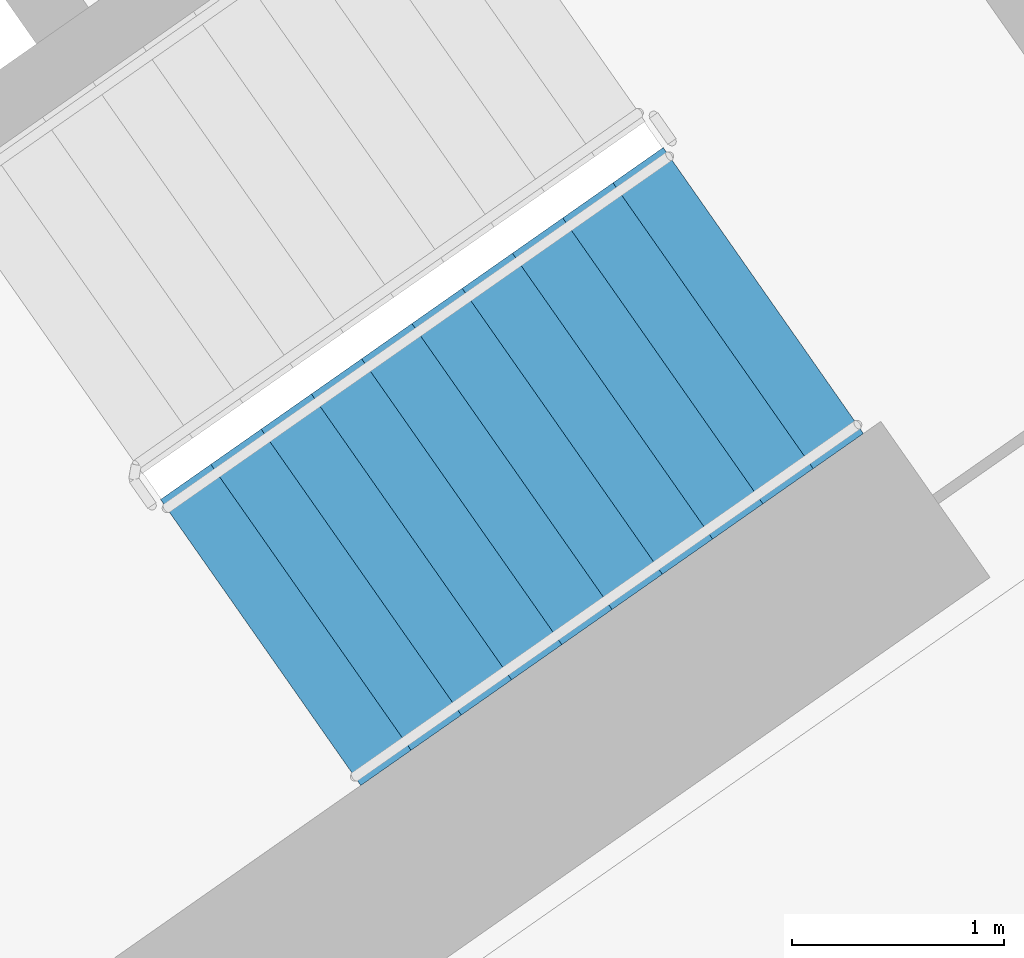
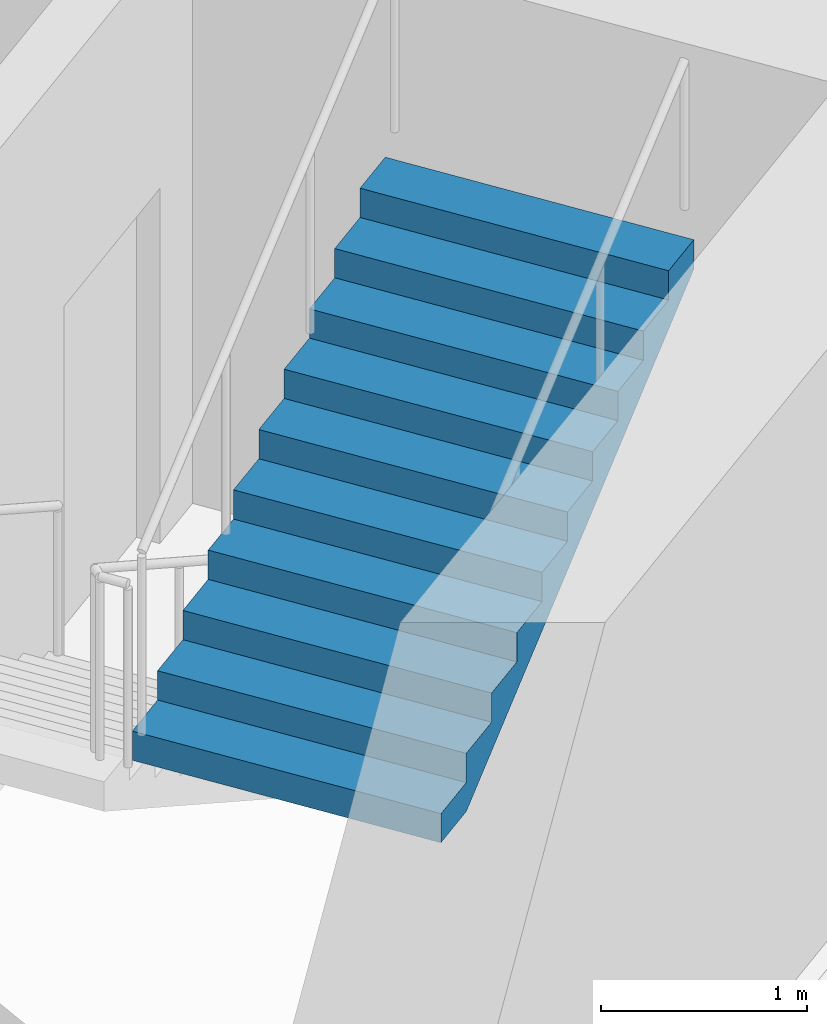
# One storey, part 16 of 31: 1 stair flight, 1 element without a shape of its own.
"""IFC4 building model written with IfcOpenShell, lengths in metres."""

from ifc_helpers import new_model, si_unit, direction, frame, origin, place, context, subcontext, project, spatial, faceted_brep, material, type_object, element, aggregate, save


model = new_model("IFC4")

# Units and contexts
model_context = context("Model", 3, precision=1e-05, world=origin(), true_north=direction((0.0, 1.0)))
body_context = subcontext(model_context, "Body", "Model", "MODEL_VIEW")
ifc_project = project(units=[si_unit("LENGTHUNIT", "METRE"), si_unit("AREAUNIT", "SQUARE_METRE"), si_unit("VOLUMEUNIT", "CUBIC_METRE"), si_unit("PLANEANGLEUNIT", "RADIAN"), si_unit("MASSUNIT", "GRAM", prefix="KILO")], contexts=[model_context])

# Site, building, storey
site_placement = place(None, origin())
site = spatial("IfcSite", under=ifc_project, at=site_placement, CompositionType="ELEMENT")
building_placement = place(site_placement, origin())
building = spatial("IfcBuilding", under=site, at=building_placement, Name="Qamariyya Broadcast Tower", CompositionType="ELEMENT")
storey_placement = place(building_placement, frame((0.0, 0.0, 55.699951171875)))
storey = spatial("IfcBuildingStorey", under=building, at=storey_placement, Name="L10", CompositionType="ELEMENT", Elevation=55.699951171875)

# Stair, stair flight
ifc_material = material(Name="Concrete C50/60", Category="concrete")
stair_type = type_object("IfcStairType", Name="Exit stair 22 risers of 173 mm", PredefinedType="HALF_TURN_STAIR", material=ifc_material)
stair_placement = place(storey_placement, origin())
stair = element("IfcStair", 1, at=stair_placement, inside=storey, type_object=stair_type, Name="L10 Stair E1", PredefinedType="HALF_TURN_STAIR")
stair_flight_type = type_object("IfcStairFlightType", Name="Exit stair flight 11 risers of 173 mm", PredefinedType="STRAIGHT", material=ifc_material)
stair_flight_placement = place(storey_placement, frame((44.693359375, -58.64599609375, 1.900146484375), z_axis=(0.0, 0.0, 1.0), x_axis=(0.819152044289, 0.573576436351, 0.0)))
stair_flight = element("IfcStairFlight", 2, at=stair_flight_placement, type_object=stair_flight_type, Name="ST-E1 flight 2", NumberOfRisers=11, NumberOfTreads=10, PredefinedType="STRAIGHT", RiserHeight=0.172727273, TreadLength=0.29, context=body_context, shape_type="Brep", body=[
    faceted_brep([(0.0, 0.824951171875, 0.0), (0.0, 0.824951171875, 0.172607421875), (0.2900390625, 0.824951171875, 0.172607421875), (0.2900390625, 0.824951171875, 0.345458984375), (0.580078125, 0.824951171875, 0.345458984375), (0.580078125, 0.824951171875, 0.51806640625), (0.8701171875, 0.824951171875, 0.51806640625), (0.8701171875, 0.824951171875, 0.69091796875), (1.159912109375, 0.824951171875, 0.69091796875), (1.159912109375, 0.824951171875, 0.863525390625), (1.449951171875, 0.824951171875, 0.863525390625), (1.449951171875, 0.824951171875, 1.036376953125), (1.739990234375, 0.824951171875, 1.036376953125), (1.739990234375, 0.824951171875, 1.208984375), (2.030029296875, 0.824951171875, 1.208984375), (2.030029296875, 0.824951171875, 1.3818359375), (2.320068359375, 0.824951171875, 1.3818359375), (2.320068359375, 0.824951171875, 1.554443359375), (2.610107421875, 0.824951171875, 1.554443359375), (2.610107421875, 0.824951171875, 1.727294921875), (2.89990234375, 0.824951171875, 1.727294921875), (2.89990234375, 0.824951171875, 1.552734375), (0.29296875, 0.824951171875, 0.0), (0.29296875, -0.824951171875, 0.0), (2.89990234375, -0.824951171875, 1.552734375), (2.89990234375, -0.824951171875, 1.727294921875), (2.610107421875, -0.824951171875, 1.727294921875), (2.610107421875, -0.824951171875, 1.554443359375), (2.320068359375, -0.824951171875, 1.554443359375), (2.320068359375, -0.824951171875, 1.3818359375), (2.030029296875, -0.824951171875, 1.3818359375), (2.030029296875, -0.824951171875, 1.208984375), (1.739990234375, -0.824951171875, 1.208984375), (1.739990234375, -0.824951171875, 1.036376953125), (1.449951171875, -0.824951171875, 1.036376953125), (1.449951171875, -0.824951171875, 0.863525390625), (1.159912109375, -0.824951171875, 0.863525390625), (1.159912109375, -0.824951171875, 0.69091796875), (0.8701171875, -0.824951171875, 0.69091796875), (0.8701171875, -0.824951171875, 0.51806640625), (0.580078125, -0.824951171875, 0.51806640625), (0.580078125, -0.824951171875, 0.345458984375), (0.2900390625, -0.824951171875, 0.345458984375), (0.2900390625, -0.824951171875, 0.172607421875), (0.0, -0.824951171875, 0.172607421875), (0.0, -0.824951171875, 0.0), (0.0, 0.10009765625, 0.0), (0.0, 0.086669921875, 0.0), (0.0, 0.0732421875, 0.0), (0.0, 0.06005859375, 0.0), (0.0, 0.046630859375, 0.0), (0.0, 0.033447265625, 0.0), (0.0, 0.02001953125, 0.0), (0.0, 0.006591796875, 0.0), (0.0, -0.006591796875, 0.0), (0.0, -0.02001953125, 0.0), (0.0, -0.033447265625, 0.0), (0.0, -0.046630859375, 0.0), (0.0, -0.06005859375, 0.0), (0.0, -0.0732421875, 0.0), (0.0, -0.086669921875, 0.0), (0.0, -0.10009765625, 0.0), (0.0, -0.10009765625, 0.172607421875), (0.0, -0.086669921875, 0.172607421875), (0.0, -0.0732421875, 0.172607421875), (0.0, -0.06005859375, 0.172607421875), (0.0, -0.046630859375, 0.172607421875), (0.0, -0.033447265625, 0.172607421875), (0.0, -0.02001953125, 0.172607421875), (0.0, -0.006591796875, 0.172607421875), (0.0, 0.006591796875, 0.172607421875), (0.0, 0.02001953125, 0.172607421875), (0.0, 0.033447265625, 0.172607421875), (0.0, 0.046630859375, 0.172607421875), (0.0, 0.06005859375, 0.172607421875), (0.0, 0.0732421875, 0.172607421875), (0.0, 0.086669921875, 0.172607421875), (0.0, 0.10009765625, 0.172607421875), (0.2900390625, -0.10009765625, 0.172607421875), (0.2900390625, -0.086669921875, 0.172607421875), (0.2900390625, -0.0732421875, 0.172607421875), (0.2900390625, -0.06005859375, 0.172607421875), (0.2900390625, -0.046630859375, 0.172607421875), (0.2900390625, -0.033447265625, 0.172607421875), (0.2900390625, -0.02001953125, 0.172607421875), (0.2900390625, -0.006591796875, 0.172607421875), (0.2900390625, 0.006591796875, 0.172607421875), (0.2900390625, 0.02001953125, 0.172607421875), (0.2900390625, 0.033447265625, 0.172607421875), (0.2900390625, 0.046630859375, 0.172607421875), (0.2900390625, 0.06005859375, 0.172607421875), (0.2900390625, 0.0732421875, 0.172607421875), (0.2900390625, 0.086669921875, 0.172607421875), (0.2900390625, 0.10009765625, 0.172607421875), (0.2900390625, -0.10009765625, 0.345458984375), (0.2900390625, -0.086669921875, 0.345458984375), (0.2900390625, -0.0732421875, 0.345458984375), (0.2900390625, -0.06005859375, 0.345458984375), (0.2900390625, -0.046630859375, 0.345458984375), (0.2900390625, -0.033447265625, 0.345458984375), (0.2900390625, -0.02001953125, 0.345458984375), (0.2900390625, -0.006591796875, 0.345458984375), (0.2900390625, 0.006591796875, 0.345458984375), (0.2900390625, 0.02001953125, 0.345458984375), (0.2900390625, 0.033447265625, 0.345458984375), (0.2900390625, 0.046630859375, 0.345458984375), (0.2900390625, 0.06005859375, 0.345458984375), (0.2900390625, 0.0732421875, 0.345458984375), (0.2900390625, 0.086669921875, 0.345458984375), (0.2900390625, 0.10009765625, 0.345458984375), (0.580078125, -0.10009765625, 0.345458984375), (0.580078125, -0.086669921875, 0.345458984375), (0.580078125, -0.0732421875, 0.345458984375), (0.580078125, -0.06005859375, 0.345458984375), (0.580078125, -0.046630859375, 0.345458984375), (0.580078125, -0.033447265625, 0.345458984375), (0.580078125, -0.02001953125, 0.345458984375), (0.580078125, -0.006591796875, 0.345458984375), (0.580078125, 0.006591796875, 0.345458984375), (0.580078125, 0.02001953125, 0.345458984375), (0.580078125, 0.033447265625, 0.345458984375), (0.580078125, 0.046630859375, 0.345458984375), (0.580078125, 0.06005859375, 0.345458984375), (0.580078125, 0.0732421875, 0.345458984375), (0.580078125, 0.086669921875, 0.345458984375), (0.580078125, 0.10009765625, 0.345458984375), (0.580078125, -0.10009765625, 0.51806640625), (0.580078125, -0.086669921875, 0.51806640625), (0.580078125, -0.0732421875, 0.51806640625), (0.580078125, -0.06005859375, 0.51806640625), (0.580078125, -0.046630859375, 0.51806640625), (0.580078125, -0.033447265625, 0.51806640625), (0.580078125, -0.02001953125, 0.51806640625), (0.580078125, -0.006591796875, 0.51806640625), (0.580078125, 0.006591796875, 0.51806640625), (0.580078125, 0.02001953125, 0.51806640625), (0.580078125, 0.033447265625, 0.51806640625), (0.580078125, 0.046630859375, 0.51806640625), (0.580078125, 0.06005859375, 0.51806640625), (0.580078125, 0.0732421875, 0.51806640625), (0.580078125, 0.086669921875, 0.51806640625), (0.580078125, 0.10009765625, 0.51806640625), (0.8701171875, -0.10009765625, 0.51806640625), (0.8701171875, -0.086669921875, 0.51806640625), (0.8701171875, -0.0732421875, 0.51806640625), (0.8701171875, -0.06005859375, 0.51806640625), (0.8701171875, -0.046630859375, 0.51806640625), (0.8701171875, -0.033447265625, 0.51806640625), (0.8701171875, -0.02001953125, 0.51806640625), (0.8701171875, -0.006591796875, 0.51806640625), (0.8701171875, 0.006591796875, 0.51806640625), (0.8701171875, 0.02001953125, 0.51806640625), (0.8701171875, 0.033447265625, 0.51806640625), (0.8701171875, 0.046630859375, 0.51806640625), (0.8701171875, 0.06005859375, 0.51806640625), (0.8701171875, 0.0732421875, 0.51806640625), (0.8701171875, 0.086669921875, 0.51806640625), (0.8701171875, 0.10009765625, 0.51806640625), (0.8701171875, -0.10009765625, 0.69091796875), (0.8701171875, -0.086669921875, 0.69091796875), (0.8701171875, -0.0732421875, 0.69091796875), (0.8701171875, -0.06005859375, 0.69091796875), (0.8701171875, -0.046630859375, 0.69091796875), (0.8701171875, -0.033447265625, 0.69091796875), (0.8701171875, -0.02001953125, 0.69091796875), (0.8701171875, -0.006591796875, 0.69091796875), (0.8701171875, 0.006591796875, 0.69091796875), (0.8701171875, 0.02001953125, 0.69091796875), (0.8701171875, 0.033447265625, 0.69091796875), (0.8701171875, 0.046630859375, 0.69091796875), (0.8701171875, 0.06005859375, 0.69091796875), (0.8701171875, 0.0732421875, 0.69091796875), (0.8701171875, 0.086669921875, 0.69091796875), (0.8701171875, 0.10009765625, 0.69091796875), (1.159912109375, -0.10009765625, 0.69091796875), (1.159912109375, -0.086669921875, 0.69091796875), (1.159912109375, -0.0732421875, 0.69091796875), (1.159912109375, -0.06005859375, 0.69091796875), (1.159912109375, -0.046630859375, 0.69091796875), (1.159912109375, -0.033447265625, 0.69091796875), (1.159912109375, -0.02001953125, 0.69091796875), (1.159912109375, -0.006591796875, 0.69091796875), (1.159912109375, 0.006591796875, 0.69091796875), (1.159912109375, 0.02001953125, 0.69091796875), (1.159912109375, 0.033447265625, 0.69091796875), (1.159912109375, 0.046630859375, 0.69091796875), (1.159912109375, 0.06005859375, 0.69091796875), (1.159912109375, 0.0732421875, 0.69091796875), (1.159912109375, 0.086669921875, 0.69091796875), (1.159912109375, 0.10009765625, 0.69091796875), (1.159912109375, -0.10009765625, 0.863525390625), (1.159912109375, -0.086669921875, 0.863525390625), (1.159912109375, -0.0732421875, 0.863525390625), (1.159912109375, -0.06005859375, 0.863525390625), (1.159912109375, -0.046630859375, 0.863525390625), (1.159912109375, -0.033447265625, 0.863525390625), (1.159912109375, -0.02001953125, 0.863525390625), (1.159912109375, -0.006591796875, 0.863525390625), (1.159912109375, 0.006591796875, 0.863525390625), (1.159912109375, 0.02001953125, 0.863525390625), (1.159912109375, 0.033447265625, 0.863525390625), (1.159912109375, 0.046630859375, 0.863525390625), (1.159912109375, 0.06005859375, 0.863525390625), (1.159912109375, 0.0732421875, 0.863525390625), (1.159912109375, 0.086669921875, 0.863525390625), (1.159912109375, 0.10009765625, 0.863525390625), (1.449951171875, -0.10009765625, 0.863525390625), (1.449951171875, -0.086669921875, 0.863525390625), (1.449951171875, -0.0732421875, 0.863525390625), (1.449951171875, -0.06005859375, 0.863525390625), (1.449951171875, -0.046630859375, 0.863525390625), (1.449951171875, -0.033447265625, 0.863525390625), (1.449951171875, -0.02001953125, 0.863525390625), (1.449951171875, -0.006591796875, 0.863525390625), (1.449951171875, 0.006591796875, 0.863525390625), (1.449951171875, 0.02001953125, 0.863525390625), (1.449951171875, 0.033447265625, 0.863525390625), (1.449951171875, 0.046630859375, 0.863525390625), (1.449951171875, 0.06005859375, 0.863525390625), (1.449951171875, 0.0732421875, 0.863525390625), (1.449951171875, 0.086669921875, 0.863525390625), (1.449951171875, 0.10009765625, 0.863525390625), (1.449951171875, -0.10009765625, 1.036376953125), (1.449951171875, -0.086669921875, 1.036376953125), (1.449951171875, -0.0732421875, 1.036376953125), (1.449951171875, -0.06005859375, 1.036376953125), (1.449951171875, -0.046630859375, 1.036376953125), (1.449951171875, -0.033447265625, 1.036376953125), (1.449951171875, -0.02001953125, 1.036376953125), (1.449951171875, -0.006591796875, 1.036376953125), (1.449951171875, 0.006591796875, 1.036376953125), (1.449951171875, 0.02001953125, 1.036376953125), (1.449951171875, 0.033447265625, 1.036376953125), (1.449951171875, 0.046630859375, 1.036376953125), (1.449951171875, 0.06005859375, 1.036376953125), (1.449951171875, 0.0732421875, 1.036376953125), (1.449951171875, 0.086669921875, 1.036376953125), (1.449951171875, 0.10009765625, 1.036376953125), (1.739990234375, -0.10009765625, 1.036376953125), (1.739990234375, -0.086669921875, 1.036376953125), (1.739990234375, -0.0732421875, 1.036376953125), (1.739990234375, -0.06005859375, 1.036376953125), (1.739990234375, -0.046630859375, 1.036376953125), (1.739990234375, -0.033447265625, 1.036376953125), (1.739990234375, -0.02001953125, 1.036376953125), (1.739990234375, -0.006591796875, 1.036376953125), (1.739990234375, 0.006591796875, 1.036376953125), (1.739990234375, 0.02001953125, 1.036376953125), (1.739990234375, 0.033447265625, 1.036376953125), (1.739990234375, 0.046630859375, 1.036376953125), (1.739990234375, 0.06005859375, 1.036376953125), (1.739990234375, 0.0732421875, 1.036376953125), (1.739990234375, 0.086669921875, 1.036376953125), (1.739990234375, 0.10009765625, 1.036376953125), (1.739990234375, -0.10009765625, 1.208984375), (1.739990234375, -0.086669921875, 1.208984375), (1.739990234375, -0.0732421875, 1.208984375), (1.739990234375, -0.06005859375, 1.208984375), (1.739990234375, -0.046630859375, 1.208984375), (1.739990234375, -0.033447265625, 1.208984375), (1.739990234375, -0.02001953125, 1.208984375), (1.739990234375, -0.006591796875, 1.208984375), (1.739990234375, 0.006591796875, 1.208984375), (1.739990234375, 0.02001953125, 1.208984375), (1.739990234375, 0.033447265625, 1.208984375), (1.739990234375, 0.046630859375, 1.208984375), (1.739990234375, 0.06005859375, 1.208984375), (1.739990234375, 0.0732421875, 1.208984375), (1.739990234375, 0.086669921875, 1.208984375), (1.739990234375, 0.10009765625, 1.208984375), (2.030029296875, -0.10009765625, 1.208984375), (2.030029296875, -0.086669921875, 1.208984375), (2.030029296875, -0.0732421875, 1.208984375), (2.030029296875, -0.06005859375, 1.208984375), (2.030029296875, -0.046630859375, 1.208984375), (2.030029296875, -0.033447265625, 1.208984375), (2.030029296875, -0.02001953125, 1.208984375), (2.030029296875, -0.006591796875, 1.208984375), (2.030029296875, 0.006591796875, 1.208984375), (2.030029296875, 0.02001953125, 1.208984375), (2.030029296875, 0.033447265625, 1.208984375), (2.030029296875, 0.046630859375, 1.208984375), (2.030029296875, 0.06005859375, 1.208984375), (2.030029296875, 0.0732421875, 1.208984375), (2.030029296875, 0.086669921875, 1.208984375), (2.030029296875, 0.10009765625, 1.208984375), (2.030029296875, -0.10009765625, 1.3818359375), (2.030029296875, -0.086669921875, 1.3818359375), (2.030029296875, -0.0732421875, 1.3818359375), (2.030029296875, -0.06005859375, 1.3818359375), (2.030029296875, -0.046630859375, 1.3818359375), (2.030029296875, -0.033447265625, 1.3818359375), (2.030029296875, -0.02001953125, 1.3818359375), (2.030029296875, -0.006591796875, 1.3818359375), (2.030029296875, 0.006591796875, 1.3818359375), (2.030029296875, 0.02001953125, 1.3818359375), (2.030029296875, 0.033447265625, 1.3818359375), (2.030029296875, 0.046630859375, 1.3818359375), (2.030029296875, 0.06005859375, 1.3818359375), (2.030029296875, 0.0732421875, 1.3818359375), (2.030029296875, 0.086669921875, 1.3818359375), (2.030029296875, 0.10009765625, 1.3818359375), (2.320068359375, -0.10009765625, 1.3818359375), (2.320068359375, -0.086669921875, 1.3818359375), (2.320068359375, -0.0732421875, 1.3818359375), (2.320068359375, -0.06005859375, 1.3818359375), (2.320068359375, -0.046630859375, 1.3818359375), (2.320068359375, -0.033447265625, 1.3818359375), (2.320068359375, -0.02001953125, 1.3818359375), (2.320068359375, -0.006591796875, 1.3818359375), (2.320068359375, 0.006591796875, 1.3818359375), (2.320068359375, 0.02001953125, 1.3818359375), (2.320068359375, 0.033447265625, 1.3818359375), (2.320068359375, 0.046630859375, 1.3818359375), (2.320068359375, 0.06005859375, 1.3818359375), (2.320068359375, 0.0732421875, 1.3818359375), (2.320068359375, 0.086669921875, 1.3818359375), (2.320068359375, 0.10009765625, 1.3818359375), (2.320068359375, -0.10009765625, 1.554443359375), (2.320068359375, -0.086669921875, 1.554443359375), (2.320068359375, -0.0732421875, 1.554443359375), (2.320068359375, -0.06005859375, 1.554443359375), (2.320068359375, -0.046630859375, 1.554443359375), (2.320068359375, -0.033447265625, 1.554443359375), (2.320068359375, -0.02001953125, 1.554443359375), (2.320068359375, -0.006591796875, 1.554443359375), (2.320068359375, 0.006591796875, 1.554443359375), (2.320068359375, 0.02001953125, 1.554443359375), (2.320068359375, 0.033447265625, 1.554443359375), (2.320068359375, 0.046630859375, 1.554443359375), (2.320068359375, 0.06005859375, 1.554443359375), (2.320068359375, 0.0732421875, 1.554443359375), (2.320068359375, 0.086669921875, 1.554443359375), (2.320068359375, 0.10009765625, 1.554443359375), (2.610107421875, -0.10009765625, 1.554443359375), (2.610107421875, -0.086669921875, 1.554443359375), (2.610107421875, -0.0732421875, 1.554443359375), (2.610107421875, -0.06005859375, 1.554443359375), (2.610107421875, -0.046630859375, 1.554443359375), (2.610107421875, -0.033447265625, 1.554443359375), (2.610107421875, -0.02001953125, 1.554443359375), (2.610107421875, -0.006591796875, 1.554443359375), (2.610107421875, 0.006591796875, 1.554443359375), (2.610107421875, 0.02001953125, 1.554443359375), (2.610107421875, 0.033447265625, 1.554443359375), (2.610107421875, 0.046630859375, 1.554443359375), (2.610107421875, 0.06005859375, 1.554443359375), (2.610107421875, 0.0732421875, 1.554443359375), (2.610107421875, 0.086669921875, 1.554443359375), (2.610107421875, 0.10009765625, 1.554443359375), (2.610107421875, -0.10009765625, 1.727294921875), (2.610107421875, -0.086669921875, 1.727294921875), (2.610107421875, -0.0732421875, 1.727294921875), (2.610107421875, -0.06005859375, 1.727294921875), (2.610107421875, -0.046630859375, 1.727294921875), (2.610107421875, -0.033447265625, 1.727294921875), (2.610107421875, -0.02001953125, 1.727294921875), (2.610107421875, -0.006591796875, 1.727294921875), (2.610107421875, 0.006591796875, 1.727294921875), (2.610107421875, 0.02001953125, 1.727294921875), (2.610107421875, 0.033447265625, 1.727294921875), (2.610107421875, 0.046630859375, 1.727294921875), (2.610107421875, 0.06005859375, 1.727294921875), (2.610107421875, 0.0732421875, 1.727294921875), (2.610107421875, 0.086669921875, 1.727294921875), (2.610107421875, 0.10009765625, 1.727294921875), (2.89990234375, -0.10009765625, 1.727294921875), (2.89990234375, -0.086669921875, 1.727294921875), (2.89990234375, -0.0732421875, 1.727294921875), (2.89990234375, -0.06005859375, 1.727294921875), (2.89990234375, -0.046630859375, 1.727294921875), (2.89990234375, -0.033447265625, 1.727294921875), (2.89990234375, -0.02001953125, 1.727294921875), (2.89990234375, -0.006591796875, 1.727294921875), (2.89990234375, 0.006591796875, 1.727294921875), (2.89990234375, 0.02001953125, 1.727294921875), (2.89990234375, 0.033447265625, 1.727294921875), (2.89990234375, 0.046630859375, 1.727294921875), (2.89990234375, 0.06005859375, 1.727294921875), (2.89990234375, 0.0732421875, 1.727294921875), (2.89990234375, 0.086669921875, 1.727294921875), (2.89990234375, 0.10009765625, 1.727294921875), (2.89990234375, -0.10009765625, 1.552734375), (2.89990234375, -0.086669921875, 1.552734375), (2.89990234375, -0.0732421875, 1.552734375), (2.89990234375, -0.06005859375, 1.552734375), (2.89990234375, -0.046630859375, 1.552734375), (2.89990234375, -0.033447265625, 1.552734375), (2.89990234375, -0.02001953125, 1.552734375), (2.89990234375, -0.006591796875, 1.552734375), (2.89990234375, 0.006591796875, 1.552734375), (2.89990234375, 0.02001953125, 1.552734375), (2.89990234375, 0.033447265625, 1.552734375), (2.89990234375, 0.046630859375, 1.552734375), (2.89990234375, 0.06005859375, 1.552734375), (2.89990234375, 0.0732421875, 1.552734375), (2.89990234375, 0.086669921875, 1.552734375), (2.89990234375, 0.10009765625, 1.552734375), (0.29296875, -0.10009765625, 0.0), (0.29296875, -0.086669921875, 0.0), (0.29296875, -0.0732421875, 0.0), (0.29296875, -0.06005859375, 0.0), (0.29296875, -0.046630859375, 0.0), (0.29296875, -0.033447265625, 0.0), (0.29296875, -0.02001953125, 0.0), (0.29296875, -0.006591796875, 0.0), (0.29296875, 0.006591796875, 0.0), (0.29296875, 0.02001953125, 0.0), (0.29296875, 0.033447265625, 0.0), (0.29296875, 0.046630859375, 0.0), (0.29296875, 0.06005859375, 0.0), (0.29296875, 0.0732421875, 0.0), (0.29296875, 0.086669921875, 0.0), (0.29296875, 0.10009765625, 0.0)], [[[0, 1, 2, 3, 4, 5, 6, 7, 8, 9, 10, 11, 12, 13, 14, 15, 16, 17, 18, 19, 20, 21, 22]], [[23, 24, 25, 26, 27, 28, 29, 30, 31, 32, 33, 34, 35, 36, 37, 38, 39, 40, 41, 42, 43, 44, 45]], [[0, 46, 47, 48, 49, 50, 51, 52, 53, 54, 55, 56, 57, 58, 59, 60, 61, 45, 44, 62, 63, 64, 65, 66, 67, 68, 69, 70, 71, 72, 73, 74, 75, 76, 77, 1]], [[1, 77, 76, 75, 74, 73, 72, 71, 70, 69, 68, 67, 66, 65, 64, 63, 62, 44, 43, 78, 79, 80, 81, 82, 83, 84, 85, 86, 87, 88, 89, 90, 91, 92, 93, 2]], [[2, 93, 92, 91, 90, 89, 88, 87, 86, 85, 84, 83, 82, 81, 80, 79, 78, 43, 42, 94, 95, 96, 97, 98, 99, 100, 101, 102, 103, 104, 105, 106, 107, 108, 109, 3]], [[3, 109, 108, 107, 106, 105, 104, 103, 102, 101, 100, 99, 98, 97, 96, 95, 94, 42, 41, 110, 111, 112, 113, 114, 115, 116, 117, 118, 119, 120, 121, 122, 123, 124, 125, 4]], [[4, 125, 124, 123, 122, 121, 120, 119, 118, 117, 116, 115, 114, 113, 112, 111, 110, 41, 40, 126, 127, 128, 129, 130, 131, 132, 133, 134, 135, 136, 137, 138, 139, 140, 141, 5]], [[5, 141, 140, 139, 138, 137, 136, 135, 134, 133, 132, 131, 130, 129, 128, 127, 126, 40, 39, 142, 143, 144, 145, 146, 147, 148, 149, 150, 151, 152, 153, 154, 155, 156, 157, 6]], [[6, 157, 156, 155, 154, 153, 152, 151, 150, 149, 148, 147, 146, 145, 144, 143, 142, 39, 38, 158, 159, 160, 161, 162, 163, 164, 165, 166, 167, 168, 169, 170, 171, 172, 173, 7]], [[7, 173, 172, 171, 170, 169, 168, 167, 166, 165, 164, 163, 162, 161, 160, 159, 158, 38, 37, 174, 175, 176, 177, 178, 179, 180, 181, 182, 183, 184, 185, 186, 187, 188, 189, 8]], [[8, 189, 188, 187, 186, 185, 184, 183, 182, 181, 180, 179, 178, 177, 176, 175, 174, 37, 36, 190, 191, 192, 193, 194, 195, 196, 197, 198, 199, 200, 201, 202, 203, 204, 205, 9]], [[9, 205, 204, 203, 202, 201, 200, 199, 198, 197, 196, 195, 194, 193, 192, 191, 190, 36, 35, 206, 207, 208, 209, 210, 211, 212, 213, 214, 215, 216, 217, 218, 219, 220, 221, 10]], [[10, 221, 220, 219, 218, 217, 216, 215, 214, 213, 212, 211, 210, 209, 208, 207, 206, 35, 34, 222, 223, 224, 225, 226, 227, 228, 229, 230, 231, 232, 233, 234, 235, 236, 237, 11]], [[11, 237, 236, 235, 234, 233, 232, 231, 230, 229, 228, 227, 226, 225, 224, 223, 222, 34, 33, 238, 239, 240, 241, 242, 243, 244, 245, 246, 247, 248, 249, 250, 251, 252, 253, 12]], [[12, 253, 252, 251, 250, 249, 248, 247, 246, 245, 244, 243, 242, 241, 240, 239, 238, 33, 32, 254, 255, 256, 257, 258, 259, 260, 261, 262, 263, 264, 265, 266, 267, 268, 269, 13]], [[13, 269, 268, 267, 266, 265, 264, 263, 262, 261, 260, 259, 258, 257, 256, 255, 254, 32, 31, 270, 271, 272, 273, 274, 275, 276, 277, 278, 279, 280, 281, 282, 283, 284, 285, 14]], [[14, 285, 284, 283, 282, 281, 280, 279, 278, 277, 276, 275, 274, 273, 272, 271, 270, 31, 30, 286, 287, 288, 289, 290, 291, 292, 293, 294, 295, 296, 297, 298, 299, 300, 301, 15]], [[15, 301, 300, 299, 298, 297, 296, 295, 294, 293, 292, 291, 290, 289, 288, 287, 286, 30, 29, 302, 303, 304, 305, 306, 307, 308, 309, 310, 311, 312, 313, 314, 315, 316, 317, 16]], [[16, 317, 316, 315, 314, 313, 312, 311, 310, 309, 308, 307, 306, 305, 304, 303, 302, 29, 28, 318, 319, 320, 321, 322, 323, 324, 325, 326, 327, 328, 329, 330, 331, 332, 333, 17]], [[17, 333, 332, 331, 330, 329, 328, 327, 326, 325, 324, 323, 322, 321, 320, 319, 318, 28, 27, 334, 335, 336, 337, 338, 339, 340, 341, 342, 343, 344, 345, 346, 347, 348, 349, 18]], [[18, 349, 348, 347, 346, 345, 344, 343, 342, 341, 340, 339, 338, 337, 336, 335, 334, 27, 26, 350, 351, 352, 353, 354, 355, 356, 357, 358, 359, 360, 361, 362, 363, 364, 365, 19]], [[19, 365, 364, 363, 362, 361, 360, 359, 358, 357, 356, 355, 354, 353, 352, 351, 350, 26, 25, 366, 367, 368, 369, 370, 371, 372, 373, 374, 375, 376, 377, 378, 379, 380, 381, 20]], [[20, 381, 380, 379, 378, 377, 376, 375, 374, 373, 372, 371, 370, 369, 368, 367, 366, 25, 24, 382, 383, 384, 385, 386, 387, 388, 389, 390, 391, 392, 393, 394, 395, 396, 397, 21]], [[21, 397, 396, 395, 394, 393, 392, 391, 390, 389, 388, 387, 386, 385, 384, 383, 382, 24, 23, 398, 399, 400, 401, 402, 403, 404, 405, 406, 407, 408, 409, 410, 411, 412, 413, 22]], [[22, 413, 412, 411, 410, 409, 408, 407, 406, 405, 404, 403, 402, 401, 400, 399, 398, 23, 45, 61, 60, 59, 58, 57, 56, 55, 54, 53, 52, 51, 50, 49, 48, 47, 46, 0]]]),
])
aggregate(stair, [stair_flight])

save(model, "model.ifc")
